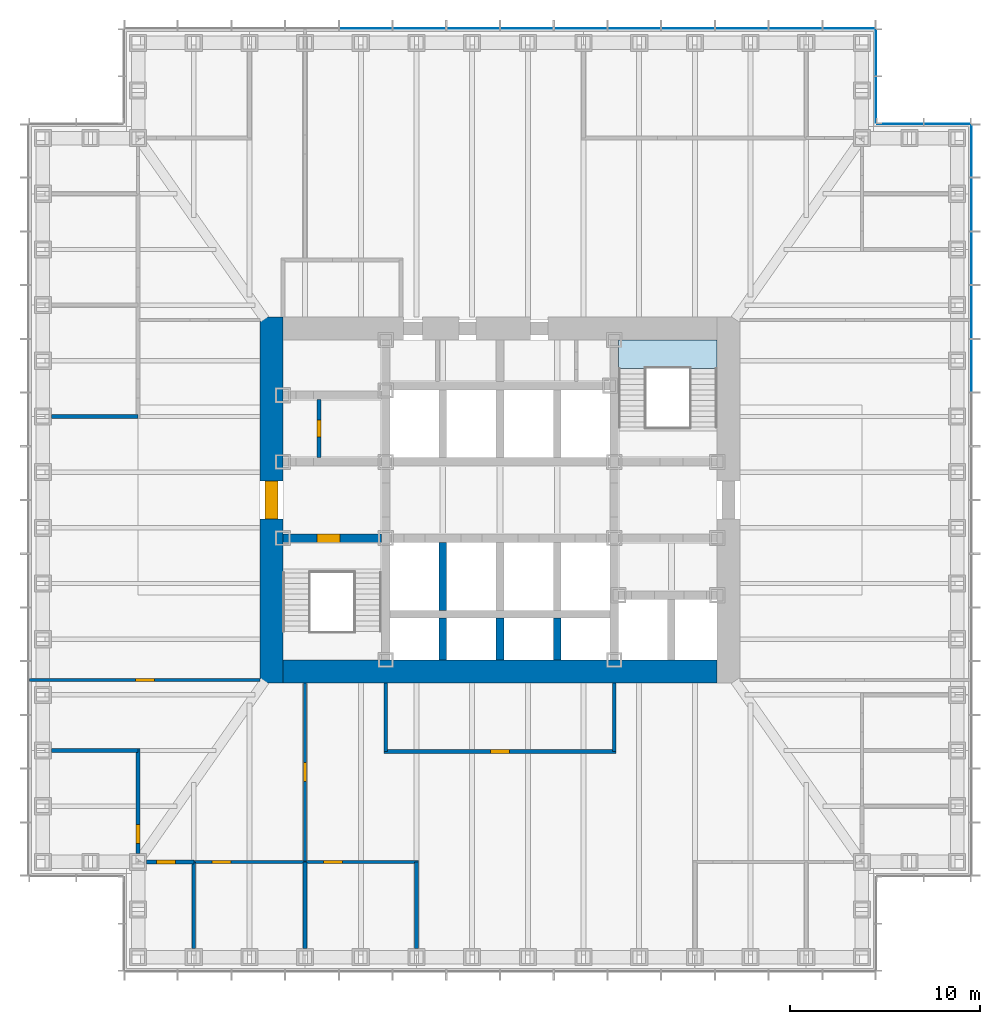
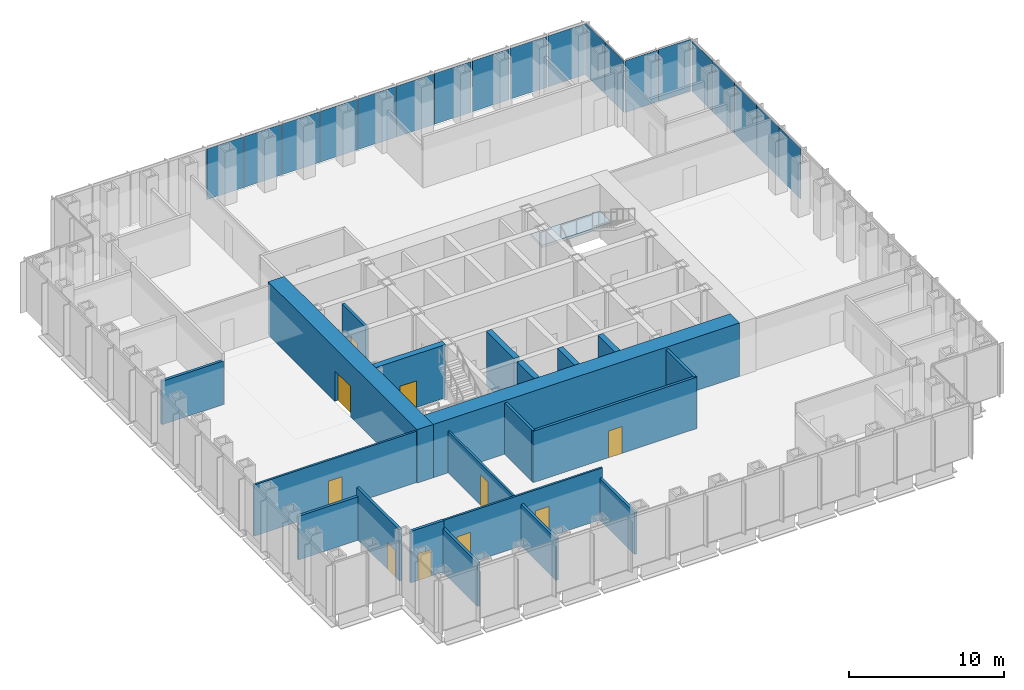
# One storey, part 8 of 17: 21 walls, 19 plates, 10 doors, 1 slab, 10 openings, 5 elements without a shape of their own.
"""IFC4 building model written with IfcOpenShell, lengths in metres."""

from ifc_helpers import new_model, si_unit, direction, frame, frame_2d, origin, origin_2d, place, context, subcontext, project, spatial, polyline, rectangle, outline, extrude, material, layer, layer_set, type_object, element, fill, aggregate, save


model = new_model("IFC4")

# Units and contexts
model_context = context("Model", 3, precision=1e-05, world=origin(), true_north=direction((0.0, 1.0)))
body_context = subcontext(model_context, "Body", "Model", "MODEL_VIEW")
ifc_project = project(units=[si_unit("LENGTHUNIT", "METRE"), si_unit("AREAUNIT", "SQUARE_METRE"), si_unit("VOLUMEUNIT", "CUBIC_METRE"), si_unit("PLANEANGLEUNIT", "RADIAN"), si_unit("MASSUNIT", "GRAM", prefix="KILO")], contexts=[model_context])

# Site, building, storey
site_placement = place(None, origin())
site = spatial("IfcSite", under=ifc_project, at=site_placement, CompositionType="ELEMENT")
building_placement = place(site_placement, origin())
building = spatial("IfcBuilding", under=site, at=building_placement, Name="Daluyong Arena Tower", CompositionType="ELEMENT")
storey_placement = place(building_placement, frame((0.0, 0.0, 89.5)))
storey = spatial("IfcBuildingStorey", under=building, at=storey_placement, Name="L19", CompositionType="ELEMENT", Elevation=89.5)

# Curtain wall, plates
ifc_material_1 = material(Name="Bronze anodised aluminium and glass", Category="aluminium")
curtain_wall_type_1 = type_object("IfcCurtainWallType", Name="Curtain wall CW1", PredefinedType="USERDEFINED", material=ifc_material_1)
curtain_wall_1_placement = place(storey_placement, origin())
curtain_wall_1 = element("IfcCurtainWall", 1, at=curtain_wall_1_placement, inside=storey, type_object=curtain_wall_type_1, Name="curtain wall L19 E", ObjectType="UNITISED CURTAIN WALL", PredefinedType="USERDEFINED")
ifc_material_2 = material(Name="Tinted double glazed unit", Category="glass")
ifc_layer_1 = layer(ifc_material_2, 0.031982421875)
ifc_layer_set_1 = layer_set([ifc_layer_1], Name="Tinted double glazed unit")
plate_type_1 = type_object("IfcPlateType", Name="CW1 panel 32", PredefinedType="CURTAIN_PANEL", material=ifc_layer_set_1)
plate_1_placement = place(storey_placement, frame((80.75, 87.053466796875, 0.0), z_axis=(0.0, 0.0, 1.0), x_axis=(0.0, 1.0, 0.0)))
plate_1 = element("IfcPlate", 2, at=plate_1_placement, type_object=plate_type_1, Name="curtain wall L19 E panel 10", PredefinedType="CURTAIN_PANEL", context=body_context, shape_type="SweptSolid", body=[
    extrude(rectangle(XDim=2.741455078125, YDim=0.031982421875, at=origin_2d()), origin(), (0.0, 0.0, 1.0), 4.0),
])
plate_2_placement = place(storey_placement, frame((80.75, 89.875, 0.0), z_axis=(0.0, 0.0, 1.0), x_axis=(0.0, 1.0, 0.0)))
plate_2 = element("IfcPlate", 3, at=plate_2_placement, type_object=plate_type_1, Name="curtain wall L19 E panel 11", PredefinedType="CURTAIN_PANEL", context=body_context, shape_type="SweptSolid", body=[
    extrude(rectangle(XDim=2.741455078125, YDim=0.031982421875, at=origin_2d()), origin(), (0.0, 0.0, 1.0), 4.0),
])
plate_3_placement = place(storey_placement, frame((80.75, 92.696533203125, 0.0), z_axis=(0.0, 0.0, 1.0), x_axis=(0.0, 1.0, 0.0)))
plate_3 = element("IfcPlate", 4, at=plate_3_placement, type_object=plate_type_1, Name="curtain wall L19 E panel 12", PredefinedType="CURTAIN_PANEL", context=body_context, shape_type="SweptSolid", body=[
    extrude(rectangle(XDim=2.741455078125, YDim=0.031982421875, at=origin_2d()), origin(), (0.0, 0.0, 1.0), 4.0),
])
plate_4_placement = place(storey_placement, frame((80.75, 95.517822265625, 0.0), z_axis=(0.0, 0.0, 1.0), x_axis=(0.0, 1.0, 0.0)))
plate_4 = element("IfcPlate", 5, at=plate_4_placement, type_object=plate_type_1, Name="curtain wall L19 E panel 13", PredefinedType="CURTAIN_PANEL", context=body_context, shape_type="SweptSolid", body=[
    extrude(rectangle(XDim=2.741455078125, YDim=0.031982421875, at=origin_2d()), origin(), (0.0, 0.0, 1.0), 4.0),
])
plate_5_placement = place(storey_placement, frame((80.75, 98.3193359375, 0.0), z_axis=(0.0, 0.0, 1.0), x_axis=(0.0, 1.0, 0.0)))
plate_5 = element("IfcPlate", 6, at=plate_5_placement, type_object=plate_type_1, Name="curtain wall L19 E panel 14", PredefinedType="CURTAIN_PANEL", context=body_context, shape_type="SweptSolid", body=[
    extrude(rectangle(XDim=2.701416015625, YDim=0.031982421875, at=origin_2d()), origin(), (0.0, 0.0, 1.0), 4.0),
])
aggregate(curtain_wall_1, [plate_1, plate_2, plate_3, plate_4, plate_5])

curtain_wall_2_placement = place(storey_placement, origin())
curtain_wall_2 = element("IfcCurtainWall", 7, at=curtain_wall_2_placement, inside=storey, type_object=curtain_wall_type_1, Name="curtain wall L19 N", ObjectType="UNITISED CURTAIN WALL", PredefinedType="USERDEFINED")
plate_6_placement = place(storey_placement, frame((74.3193359375, 104.75, 0.0), z_axis=(0.0, 0.0, 1.0), x_axis=(-1.0, 0.0, 0.0)))
plate_6 = element("IfcPlate", 8, at=plate_6_placement, type_object=plate_type_1, Name="curtain wall L19 N panel 1", PredefinedType="CURTAIN_PANEL", context=body_context, shape_type="SweptSolid", body=[
    extrude(rectangle(XDim=2.701416015625, YDim=0.031982421875, at=origin_2d()), origin(), (0.0, 0.0, 1.0), 4.0),
])
plate_7_placement = place(storey_placement, frame((71.517822265625, 104.75, 0.0), z_axis=(0.0, 0.0, 1.0), x_axis=(-1.0, 0.0, 0.0)))
plate_7 = element("IfcPlate", 9, at=plate_7_placement, type_object=plate_type_1, Name="curtain wall L19 N panel 2", PredefinedType="CURTAIN_PANEL", context=body_context, shape_type="SweptSolid", body=[
    extrude(rectangle(XDim=2.741455078125, YDim=0.031982421875, at=origin_2d()), origin(), (0.0, 0.0, 1.0), 4.0),
])
plate_8_placement = place(storey_placement, frame((68.696533203125, 104.75, 0.0), z_axis=(0.0, 0.0, 1.0), x_axis=(-1.0, 0.0, 0.0)))
plate_8 = element("IfcPlate", 10, at=plate_8_placement, type_object=plate_type_1, Name="curtain wall L19 N panel 3", PredefinedType="CURTAIN_PANEL", context=body_context, shape_type="SweptSolid", body=[
    extrude(rectangle(XDim=2.741455078125, YDim=0.031982421875, at=origin_2d()), origin(), (0.0, 0.0, 1.0), 4.0),
])
plate_9_placement = place(storey_placement, frame((65.875, 104.75, 0.0), z_axis=(0.0, 0.0, 1.0), x_axis=(-1.0, 0.0, 0.0)))
plate_9 = element("IfcPlate", 11, at=plate_9_placement, type_object=plate_type_1, Name="curtain wall L19 N panel 4", PredefinedType="CURTAIN_PANEL", context=body_context, shape_type="SweptSolid", body=[
    extrude(rectangle(XDim=2.741455078125, YDim=0.031982421875, at=origin_2d()), origin(), (0.0, 0.0, 1.0), 4.0),
])
plate_10_placement = place(storey_placement, frame((63.053466796875, 104.75, 0.0), z_axis=(0.0, 0.0, 1.0), x_axis=(-1.0, 0.0, 0.0)))
plate_10 = element("IfcPlate", 12, at=plate_10_placement, type_object=plate_type_1, Name="curtain wall L19 N panel 5", PredefinedType="CURTAIN_PANEL", context=body_context, shape_type="SweptSolid", body=[
    extrude(rectangle(XDim=2.741455078125, YDim=0.031982421875, at=origin_2d()), origin(), (0.0, 0.0, 1.0), 4.0),
])
plate_11_placement = place(storey_placement, frame((60.232177734375, 104.75, 0.0), z_axis=(0.0, 0.0, 1.0), x_axis=(-1.0, 0.0, 0.0)))
plate_11 = element("IfcPlate", 13, at=plate_11_placement, type_object=plate_type_1, Name="curtain wall L19 N panel 6", PredefinedType="CURTAIN_PANEL", context=body_context, shape_type="SweptSolid", body=[
    extrude(rectangle(XDim=2.741455078125, YDim=0.031982421875, at=origin_2d()), origin(), (0.0, 0.0, 1.0), 4.0),
])
plate_12_placement = place(storey_placement, frame((57.41064453125, 104.75, 0.0), z_axis=(0.0, 0.0, 1.0), x_axis=(-1.0, 0.0, 0.0)))
plate_12 = element("IfcPlate", 14, at=plate_12_placement, type_object=plate_type_1, Name="curtain wall L19 N panel 7", PredefinedType="CURTAIN_PANEL", context=body_context, shape_type="SweptSolid", body=[
    extrude(rectangle(XDim=2.741455078125, YDim=0.031982421875, at=origin_2d()), origin(), (0.0, 0.0, 1.0), 4.0),
])
plate_13_placement = place(storey_placement, frame((54.58935546875, 104.75, 0.0), z_axis=(0.0, 0.0, 1.0), x_axis=(-1.0, 0.0, 0.0)))
plate_13 = element("IfcPlate", 15, at=plate_13_placement, type_object=plate_type_1, Name="curtain wall L19 N panel 8", PredefinedType="CURTAIN_PANEL", context=body_context, shape_type="SweptSolid", body=[
    extrude(rectangle(XDim=2.741455078125, YDim=0.031982421875, at=origin_2d()), origin(), (0.0, 0.0, 1.0), 4.0),
])
plate_14_placement = place(storey_placement, frame((51.767822265625, 104.75, 0.0), z_axis=(0.0, 0.0, 1.0), x_axis=(-1.0, 0.0, 0.0)))
plate_14 = element("IfcPlate", 16, at=plate_14_placement, type_object=plate_type_1, Name="curtain wall L19 N panel 9", PredefinedType="CURTAIN_PANEL", context=body_context, shape_type="SweptSolid", body=[
    extrude(rectangle(XDim=2.741455078125, YDim=0.031982421875, at=origin_2d()), origin(), (0.0, 0.0, 1.0), 4.0),
])
plate_15_placement = place(storey_placement, frame((48.946533203125, 104.75, 0.0), z_axis=(0.0, 0.0, 1.0), x_axis=(-1.0, 0.0, 0.0)))
plate_15 = element("IfcPlate", 17, at=plate_15_placement, type_object=plate_type_1, Name="curtain wall L19 N panel 10", PredefinedType="CURTAIN_PANEL", context=body_context, shape_type="SweptSolid", body=[
    extrude(rectangle(XDim=2.741455078125, YDim=0.031982421875, at=origin_2d()), origin(), (0.0, 0.0, 1.0), 4.0),
])
aggregate(curtain_wall_2, [plate_6, plate_7, plate_8, plate_9, plate_10, plate_11, plate_12, plate_13, plate_14, plate_15])

ifc_material_3 = material(Name="Bronze anodised aluminium and glass", Category="aluminium")
curtain_wall_type_2 = type_object("IfcCurtainWallType", Name="Curtain wall CW7", PredefinedType="USERDEFINED", material=ifc_material_3)
curtain_wall_3_placement = place(storey_placement, origin())
curtain_wall_3 = element("IfcCurtainWall", 18, at=curtain_wall_3_placement, inside=storey, type_object=curtain_wall_type_2, Name="curtain wall L19 NE-N", ObjectType="UNITISED CURTAIN WALL", PredefinedType="USERDEFINED")
ifc_material_4 = material(Name="Tinted double glazed unit", Category="glass")
ifc_layer_2 = layer(ifc_material_4, 0.028076171875)
ifc_layer_set_2 = layer_set([ifc_layer_2], Name="Tinted double glazed unit")
plate_type_2 = type_object("IfcPlateType", Name="CW7 panel 28", PredefinedType="CURTAIN_PANEL", material=ifc_layer_set_2)
plate_16_placement = place(storey_placement, frame((79.485107421875, 99.75, 0.0), z_axis=(0.0, 0.0, 1.0), x_axis=(-1.0, 0.0, 0.0)))
plate_16 = element("IfcPlate", 19, at=plate_16_placement, type_object=plate_type_2, Name="curtain wall L19 NE-N panel 1", PredefinedType="CURTAIN_PANEL", context=body_context, shape_type="SweptSolid", body=[
    extrude(rectangle(XDim=2.409912109375, YDim=0.028076171875, at=origin_2d()), origin(), (0.0, 0.0, 1.0), 4.080078125),
])
plate_17_placement = place(storey_placement, frame((77.014892578125, 99.75, 0.0), z_axis=(0.0, 0.0, 1.0), x_axis=(-1.0, 0.0, 0.0)))
plate_17 = element("IfcPlate", 20, at=plate_17_placement, type_object=plate_type_2, Name="curtain wall L19 NE-N panel 2", PredefinedType="CURTAIN_PANEL", context=body_context, shape_type="SweptSolid", body=[
    extrude(rectangle(XDim=2.409912109375, YDim=0.028076171875, at=origin_2d()), origin(), (0.0, 0.0, 1.0), 4.080078125),
])
aggregate(curtain_wall_3, [plate_16, plate_17])

curtain_wall_4_placement = place(storey_placement, origin())
curtain_wall_4 = element("IfcCurtainWall", 21, at=curtain_wall_4_placement, inside=storey, type_object=curtain_wall_type_2, Name="curtain wall L19 NE-E", ObjectType="UNITISED CURTAIN WALL", PredefinedType="USERDEFINED")
plate_18_placement = place(storey_placement, frame((75.75, 101.014892578125, 0.0), z_axis=(0.0, 0.0, 1.0), x_axis=(0.0, 1.0, 0.0)))
plate_18 = element("IfcPlate", 22, at=plate_18_placement, type_object=plate_type_2, Name="curtain wall L19 NE-E panel 1", PredefinedType="CURTAIN_PANEL", context=body_context, shape_type="SweptSolid", body=[
    extrude(rectangle(XDim=2.409912109375, YDim=0.028076171875, at=origin_2d()), origin(), (0.0, 0.0, 1.0), 4.080078125),
])
plate_19_placement = place(storey_placement, frame((75.75, 103.485107421875, 0.0), z_axis=(0.0, 0.0, 1.0), x_axis=(0.0, 1.0, 0.0)))
plate_19 = element("IfcPlate", 23, at=plate_19_placement, type_object=plate_type_2, Name="curtain wall L19 NE-E panel 2", PredefinedType="CURTAIN_PANEL", context=body_context, shape_type="SweptSolid", body=[
    extrude(rectangle(XDim=2.409912109375, YDim=0.028076171875, at=origin_2d()), origin(), (0.0, 0.0, 1.0), 4.080078125),
])
aggregate(curtain_wall_4, [plate_18, plate_19])

# Stair, slab
ifc_material_5 = material(Name="Concrete fc' 35 MPa", Category="concrete")
stair_type = type_object("IfcStairType", Name="Core exit stair", PredefinedType="HALF_TURN_STAIR", material=ifc_material_5)
stair_placement = place(storey_placement, origin())
stair = element("IfcStair", 24, at=stair_placement, inside=storey, type_object=stair_type, Name="exit stair B L19", PredefinedType="HALF_TURN_STAIR")
ifc_material_6 = material(Name="Concrete fc' 35 MPa", Category="concrete")
ifc_layer_3 = layer(ifc_material_6, 0.199951171875)
ifc_layer_set_3 = layer_set([ifc_layer_3], Name="Concrete fc' 35 MPa")
slab_type = type_object("IfcSlabType", Name="Stair landing 200", PredefinedType="LANDING", material=ifc_layer_set_3)
slab_placement = place(storey_placement, frame((0.0, 0.0, 1.89990234375)))
slab = element("IfcSlab", 25, at=slab_placement, type_object=slab_type, Name="STB landing 1", PredefinedType="LANDING", context=body_context, shape_type="SweptSolid", body=[
    extrude(outline(polyline([(62.22509765625, 86.905029296875), (67.39990234375, 86.905029296875), (67.39990234375, 88.39990234375), (62.22509765625, 88.39990234375), (62.22509765625, 86.905029296875)])), origin(), (0.0, 0.0, 1.0), 0.2001953125),
])
aggregate(stair, [slab])

# Wall, opening, door
ifc_material_7 = material(Name="Concrete fc' 45 MPa", Category="concrete")
ifc_layer_4 = layer(ifc_material_7, 0.449951171875)
ifc_layer_set_4 = layer_set([ifc_layer_4], Name="Concrete fc' 45 MPa")
wall_type_1 = type_object("IfcWallType", Name="Core inner wall 450", PredefinedType="SHEAR", material=ifc_layer_set_4)
wall_1_placement = place(storey_placement, frame((44.60009765625, 78.0, 0.0), z_axis=(0.0, 0.0, 1.0), x_axis=(1.0, 0.0, 0.0)))
wall_1 = element("IfcWall", 26, at=wall_1_placement, inside=storey, type_object=wall_type_1, Name="core inner wall at L19", PredefinedType="SHEAR", context=body_context, shape_type="SweptSolid", body=[
    extrude(rectangle(XDim=5.1748046875, YDim=0.449951171875, at=frame_2d((2.58740234375, 0.0))), origin(), (0.0, 0.0, 1.0), 4.199951171875),
])
opening_1_placement = place(wall_1_placement, frame((1.800048828125, 0.0, 0.0)))
opening_1 = element("IfcOpeningElement", 27, at=opening_1_placement, cuts=wall_1, Name="Opening 19008", PredefinedType="OPENING", context=body_context, shape_type="SweptSolid", body=[
    extrude(rectangle(XDim=1.199951171875, YDim=2.10009765625, at=frame_2d((0.60009765625, 1.050048828125))), frame((0.0, 0.23486328125, 0.0), z_axis=(0.0, -1.0, 0.0), x_axis=(1.0, 0.0, 0.0)), (0.0, 0.0, 1.0), 0.469970703125),
])
ifc_material_8 = material(Name="Steel door, fire rated", Category="steel")
door_type_1 = type_object("IfcDoorType", Name="Stair door 1200", OperationType="SINGLE_SWING_LEFT", PredefinedType="DOOR", material=ifc_material_8)
door_1_placement = place(opening_1_placement, origin())
door_1 = element("IfcDoor", 28, at=door_1_placement, inside=storey, type_object=door_type_1, Name="stair A door 19008", OperationType="SINGLE_SWING_LEFT", OverallHeight=2.10009765625, OverallWidth=1.199951171875, PredefinedType="DOOR", context=body_context, shape_type="SweptSolid", body=[
    extrude(rectangle(XDim=1.199951171875, YDim=2.10009765625, at=frame_2d((0.60009765625, 1.050048828125))), frame((0.0, 0.224609375, 0.0), z_axis=(0.0, -1.0, 0.0), x_axis=(1.0, 0.0, 0.0)), (0.0, 0.0, 1.0), 0.449462890625),
])
fill(opening_1, door_1)

ifc_material_9 = material(Name="Concrete fc' 60 MPa", Category="concrete")
ifc_layer_5 = layer(ifc_material_9, 1.199951171875)
ifc_layer_set_5 = layer_set([ifc_layer_5], Name="Concrete fc' 60 MPa")
wall_type_2 = type_object("IfcWallType", Name="Core wall 1200", PredefinedType="SHEAR", material=ifc_layer_set_5)
wall_2_placement = place(storey_placement, frame((44.0, 70.39990234375, 0.0), z_axis=(0.0, 0.0, 1.0), x_axis=(0.0, 1.0, 0.0)))
wall_2 = element("IfcWall", 29, at=wall_2_placement, inside=storey, type_object=wall_type_2, Name="core wall at L19", PredefinedType="SHEAR", context=body_context, shape_type="SweptSolid", body=[
    extrude(rectangle(XDim=19.2001953125, YDim=1.199951171875, at=frame_2d((9.60009765625, 0.0))), origin(), (0.0, 0.0, 1.0), 4.199951171875),
])
opening_2_placement = place(wall_2_placement, frame((8.60009765625, 0.0, 0.0)))
opening_2 = element("IfcOpeningElement", 30, at=opening_2_placement, cuts=wall_2, Name="Opening 19010", PredefinedType="OPENING", context=body_context, shape_type="SweptSolid", body=[
    extrude(rectangle(XDim=2.0, YDim=2.39990234375, at=frame_2d((1.0, 1.199951171875))), frame((0.0, 0.60986328125, 0.0), z_axis=(0.0, -1.0, 0.0), x_axis=(1.0, 0.0, 0.0)), (0.0, 0.0, 1.0), 1.219970703125),
])
ifc_material_10 = material(Name="Steel door, fire rated", Category="steel")
door_type_2 = type_object("IfcDoorType", Name="Core lobby double door 2000", OperationType="DOUBLE_DOOR_SINGLE_SWING", PredefinedType="DOOR", material=ifc_material_10)
door_2_placement = place(opening_2_placement, origin())
door_2 = element("IfcDoor", 31, at=door_2_placement, inside=storey, type_object=door_type_2, Name="core lobby door west 19010", OperationType="DOUBLE_DOOR_SINGLE_SWING", OverallHeight=2.39990234375, OverallWidth=2.0, PredefinedType="DOOR", context=body_context, shape_type="SweptSolid", body=[
    extrude(rectangle(XDim=2.0, YDim=2.39990234375, at=frame_2d((1.0, 1.199951171875))), frame((0.0, 0.35009765625, 0.0), z_axis=(0.0, -1.0, 0.0), x_axis=(1.0, 0.0, 0.0)), (0.0, 0.0, 1.0), 0.699951171875),
])
fill(opening_2, door_2)

# Wall
wall_3_placement = place(storey_placement, frame((44.60009765625, 71.0, 0.0), z_axis=(0.0, 0.0, 1.0), x_axis=(1.0, 0.0, 0.0)))
element("IfcWall", 32, at=wall_3_placement, inside=storey, type_object=wall_type_2, Name="core wall at L19", PredefinedType="SHEAR", context=body_context, shape_type="SweptSolid", body=[
    extrude(rectangle(XDim=22.7998046875, YDim=1.199951171875, at=frame_2d((11.39990234375, 0.0))), origin(), (0.0, 0.0, 1.0), 4.199951171875),
])

# Wall, opening, door
ifc_material_11 = material(Name="Concrete block partition, fire rated", Category="concrete")
ifc_layer_6 = layer(ifc_material_11, 0.199951171875)
ifc_layer_set_6 = layer_set([ifc_layer_6], Name="Concrete block partition, fire rated")
wall_type_3 = type_object("IfcWallType", Name="Fire-rated partition 200", PredefinedType="PARTITIONING", material=ifc_layer_set_6)
wall_4_placement = place(storey_placement, frame((46.5, 82.22509765625, 0.0), z_axis=(0.0, 0.0, 1.0), x_axis=(0.0, 1.0, 0.0)))
wall_4 = element("IfcWall", 33, at=wall_4_placement, inside=storey, type_object=wall_type_3, Name="toilet lobby partition at L19", PredefinedType="PARTITIONING", context=body_context, shape_type="SweptSolid", body=[
    extrude(rectangle(XDim=3.0498046875, YDim=0.199951171875, at=frame_2d((1.52490234375, 0.0))), origin(), (0.0, 0.0, 1.0), 4.0400390625),
])
opening_3_placement = place(wall_4_placement, frame((1.074951171875, 0.0, 0.0)))
opening_3 = element("IfcOpeningElement", 34, at=opening_3_placement, cuts=wall_4, Name="Opening 19002", PredefinedType="OPENING", context=body_context, shape_type="SweptSolid", body=[
    extrude(rectangle(XDim=0.89990234375, YDim=2.10009765625, at=frame_2d((0.449951171875, 1.050048828125))), frame((0.0, 0.10986328125, 0.0), z_axis=(0.0, -1.0, 0.0), x_axis=(1.0, 0.0, 0.0)), (0.0, 0.0, 1.0), 0.219970703125),
])
ifc_material_12 = material(Name="Timber door", Category="wood")
door_type_3 = type_object("IfcDoorType", Name="Toilet door 900", OperationType="SINGLE_SWING_RIGHT", PredefinedType="DOOR", material=ifc_material_12)
door_3_placement = place(opening_3_placement, origin())
door_3 = element("IfcDoor", 35, at=door_3_placement, inside=storey, type_object=door_type_3, Name="male toilet door 19002", OperationType="SINGLE_SWING_RIGHT", OverallHeight=2.10009765625, OverallWidth=0.89990234375, PredefinedType="DOOR", context=body_context, shape_type="SweptSolid", body=[
    extrude(rectangle(XDim=0.89990234375, YDim=2.10009765625, at=frame_2d((0.449951171875, 1.050048828125))), frame((0.0, 0.099609375, 0.0), z_axis=(0.0, -1.0, 0.0), x_axis=(1.0, 0.0, 0.0)), (0.0, 0.0, 1.0), 0.199462890625),
])
fill(opening_3, door_3)

# Wall, openings, doors
ifc_material_13 = material(Name="Glazed aluminium partition", Category="aluminium")
ifc_layer_7 = layer(ifc_material_13, 0.14990234375)
ifc_layer_set_7 = layer_set([ifc_layer_7], Name="Glazed aluminium partition")
wall_type_4 = type_object("IfcWallType", Name="Glazed partition 150", PredefinedType="PARTITIONING", material=ifc_layer_set_7)
wall_5_placement = place(storey_placement, frame((39.923095703125, 61.0, 0.0), z_axis=(0.0, 0.0, 1.0), x_axis=(1.0, 0.0, 0.0)))
wall_5 = element("IfcWall", 36, at=wall_5_placement, inside=storey, type_object=wall_type_4, Name="glazed partition at L19", PredefinedType="PARTITIONING", context=body_context, shape_type="SweptSolid", body=[
    extrude(rectangle(XDim=11.792236328125, YDim=0.14990234375, at=frame_2d((5.89599609375, 0.0))), origin(), (0.0, 0.0, 1.0), 4.0400390625),
])
opening_4_placement = place(wall_5_placement, frame((0.96142578125, 0.0, 0.0)))
opening_4 = element("IfcOpeningElement", 37, at=opening_4_placement, cuts=wall_5, Name="Opening 19022", PredefinedType="OPENING", context=body_context, shape_type="SweptSolid", body=[
    extrude(rectangle(XDim=1.0, YDim=2.39990234375, at=frame_2d((0.5, 1.199951171875))), frame((0.0, 0.0849609375, 0.0), z_axis=(0.0, -1.0, 0.0), x_axis=(1.0, 0.0, 0.0)), (0.0, 0.0, 1.0), 0.169921875),
])
opening_5_placement = place(wall_5_placement, frame((6.8076171875, 0.0, 0.0)))
opening_5 = element("IfcOpeningElement", 38, at=opening_5_placement, cuts=wall_5, Name="Opening 19023", PredefinedType="OPENING", context=body_context, shape_type="SweptSolid", body=[
    extrude(rectangle(XDim=1.0, YDim=2.39990234375, at=frame_2d((0.5, 1.199951171875))), frame((0.0, 0.0849609375, 0.0), z_axis=(0.0, -1.0, 0.0), x_axis=(1.0, 0.0, 0.0)), (0.0, 0.0, 1.0), 0.169921875),
])
ifc_material_14 = material(Name="Glazed aluminium door", Category="aluminium")
door_type_4 = type_object("IfcDoorType", Name="Meeting room glazed door 1000", OperationType="SINGLE_SWING_RIGHT", PredefinedType="DOOR", material=ifc_material_14)
door_4_placement = place(opening_4_placement, origin())
door_4 = element("IfcDoor", 39, at=door_4_placement, inside=storey, type_object=door_type_4, Name="meeting room door 19022", OperationType="SINGLE_SWING_RIGHT", OverallHeight=2.39990234375, OverallWidth=1.0, PredefinedType="DOOR", context=body_context, shape_type="SweptSolid", body=[
    extrude(rectangle(XDim=1.0, YDim=2.39990234375, at=frame_2d((0.5, 1.199951171875))), frame((0.0, 0.07470703125, 0.0), z_axis=(0.0, -1.0, 0.0), x_axis=(1.0, 0.0, 0.0)), (0.0, 0.0, 1.0), 0.1494140625),
])
fill(opening_4, door_4)
door_5_placement = place(opening_5_placement, origin())
door_5 = element("IfcDoor", 40, at=door_5_placement, inside=storey, type_object=door_type_4, Name="meeting room door 19023", OperationType="SINGLE_SWING_RIGHT", OverallHeight=2.39990234375, OverallWidth=1.0, PredefinedType="DOOR", context=body_context, shape_type="SweptSolid", body=[
    extrude(rectangle(XDim=1.0, YDim=2.39990234375, at=frame_2d((0.5, 1.199951171875))), frame((0.0, 0.07470703125, 0.0), z_axis=(0.0, -1.0, 0.0), x_axis=(1.0, 0.0, 0.0)), (0.0, 0.0, 1.0), 0.1494140625),
])
fill(opening_5, door_5)

# Wall, opening, door
wall_6_placement = place(storey_placement, frame((31.31005859375, 70.550048828125, 0.0), z_axis=(0.0, 0.0, 1.0), x_axis=(1.0, 0.0, 0.0)))
wall_6 = element("IfcWall", 41, at=wall_6_placement, inside=storey, type_object=wall_type_4, Name="glazed partition at L19", PredefinedType="PARTITIONING", context=body_context, shape_type="SweptSolid", body=[
    extrude(rectangle(XDim=12.08984375, YDim=0.14990234375, at=frame_2d((6.044921875, 0.0))), origin(), (0.0, 0.0, 1.0), 4.0400390625),
])
opening_6_placement = place(wall_6_placement, frame((5.544921875, 0.0, 0.0)))
opening_6 = element("IfcOpeningElement", 42, at=opening_6_placement, cuts=wall_6, Name="Opening 19040", PredefinedType="OPENING", context=body_context, shape_type="SweptSolid", body=[
    extrude(rectangle(XDim=1.0, YDim=2.39990234375, at=frame_2d((0.5, 1.199951171875))), frame((0.0, 0.0849609375, 0.0), z_axis=(0.0, -1.0, 0.0), x_axis=(1.0, 0.0, 0.0)), (0.0, 0.0, 1.0), 0.169921875),
])
door_6_placement = place(opening_6_placement, origin())
door_6 = element("IfcDoor", 43, at=door_6_placement, inside=storey, type_object=door_type_4, Name="team area screen door 19040", OperationType="SINGLE_SWING_RIGHT", OverallHeight=2.39990234375, OverallWidth=1.0, PredefinedType="DOOR", context=body_context, shape_type="SweptSolid", body=[
    extrude(rectangle(XDim=1.0, YDim=2.39990234375, at=frame_2d((0.5, 1.199951171875))), frame((0.0, 0.07470703125, 0.0), z_axis=(0.0, -1.0, 0.0), x_axis=(1.0, 0.0, 0.0)), (0.0, 0.0, 1.0), 0.1494140625),
])
fill(opening_6, door_6)

wall_7_placement = place(storey_placement, frame((45.769287109375, 61.050048828125, 0.0), z_axis=(0.0, 0.0, 1.0), x_axis=(0.0, 1.0, 0.0)))
wall_7 = element("IfcWall", 44, at=wall_7_placement, inside=storey, type_object=wall_type_4, Name="glazed partition at L19", PredefinedType="PARTITIONING", context=body_context, shape_type="SweptSolid", body=[
    extrude(rectangle(XDim=9.349853515625, YDim=0.14990234375, at=frame_2d((4.6748046875, 0.0))), origin(), (0.0, 0.0, 1.0), 3.278076171875),
])
opening_7_placement = place(wall_7_placement, frame((4.175048828125, 0.0, 0.0)))
opening_7 = element("IfcOpeningElement", 45, at=opening_7_placement, cuts=wall_7, Name="Opening 19044", PredefinedType="OPENING", context=body_context, shape_type="SweptSolid", body=[
    extrude(rectangle(XDim=1.0, YDim=2.39990234375, at=frame_2d((0.5, 1.199951171875))), frame((0.0, 0.0849609375, 0.0), z_axis=(0.0, -1.0, 0.0), x_axis=(1.0, 0.0, 0.0)), (0.0, 0.0, 1.0), 0.169921875),
])
door_7_placement = place(opening_7_placement, origin())
door_7 = element("IfcDoor", 46, at=door_7_placement, inside=storey, type_object=door_type_4, Name="team area screen door 19044", OperationType="SINGLE_SWING_RIGHT", OverallHeight=2.39990234375, OverallWidth=1.0, PredefinedType="DOOR", context=body_context, shape_type="SweptSolid", body=[
    extrude(rectangle(XDim=1.0, YDim=2.39990234375, at=frame_2d((0.5, 1.199951171875))), frame((0.0, 0.07470703125, 0.0), z_axis=(0.0, -1.0, 0.0), x_axis=(1.0, 0.0, 0.0)), (0.0, 0.0, 1.0), 0.1494140625),
])
fill(opening_7, door_7)

# Walls
ifc_material_15 = material(Name="Concrete fc' 45 MPa", Category="concrete")
ifc_layer_8 = layer(ifc_material_15, 0.39990234375)
ifc_layer_set_8 = layer_set([ifc_layer_8], Name="Concrete fc' 45 MPa")
wall_type_5 = type_object("IfcWallType", Name="Lift shaft wall 400", PredefinedType="SHEAR", material=ifc_layer_set_8)
wall_8_placement = place(storey_placement, frame((53.0, 71.60009765625, 0.0), z_axis=(0.0, 0.0, 1.0), x_axis=(0.0, 1.0, 0.0)))
element("IfcWall", 47, at=wall_8_placement, inside=storey, type_object=wall_type_5, Name="lift shaft wall at L19", PredefinedType="SHEAR", context=body_context, shape_type="SweptSolid", body=[
    extrude(rectangle(XDim=2.199951171875, YDim=0.39990234375, at=frame_2d((1.10009765625, 0.0))), origin(), (0.0, 0.0, 1.0), 4.199951171875),
])
wall_9_placement = place(storey_placement, frame((53.0, 74.199951171875, 0.0), z_axis=(0.0, 0.0, 1.0), x_axis=(0.0, 1.0, 0.0)))
element("IfcWall", 48, at=wall_9_placement, inside=storey, type_object=wall_type_5, Name="lift shaft wall at L19", PredefinedType="SHEAR", context=body_context, shape_type="SweptSolid", body=[
    extrude(rectangle(XDim=3.574951171875, YDim=0.39990234375, at=frame_2d((1.78759765625, 0.0))), origin(), (0.0, 0.0, 1.0), 4.199951171875),
])
for number, where, z_axis, x_axis, name in (
    (49, (56.0, 71.60009765625, 0.0), (0.0, 0.0, 1.0), (0.0, 1.0, 0.0), "lift shaft wall at L19"),
    (50, (59.0, 71.60009765625, 0.0), (0.0, 0.0, 1.0), (0.0, 1.0, 0.0), "lift shaft wall at L19"),
):
    element("IfcWall", number, at=place(storey_placement, frame(where, z_axis=z_axis, x_axis=x_axis)), inside=storey, type_object=wall_type_5, Name=name, PredefinedType="SHEAR", context=body_context, shape_type="SweptSolid", body=[
        extrude(rectangle(XDim=2.199951171875, YDim=0.39990234375, at=frame_2d((1.10009765625, 0.0))), origin(), (0.0, 0.0, 1.0), 4.199951171875),
    ])
ifc_material_16 = material(Name="Concrete block partition", Category="concrete")
ifc_layer_9 = layer(ifc_material_16, 0.199951171875)
ifc_layer_set_9 = layer_set([ifc_layer_9], Name="Concrete block partition")
wall_type_6 = type_object("IfcWallType", Name="Partition 200", PredefinedType="PARTITIONING", material=ifc_layer_set_9)
wall_10_placement = place(storey_placement, frame((39.923095703125, 56.449951171875, 0.0), z_axis=(0.0, 0.0, 1.0), x_axis=(0.0, 1.0, 0.0)))
element("IfcWall", 51, at=wall_10_placement, inside=storey, type_object=wall_type_6, Name="partition at L19", PredefinedType="PARTITIONING", context=body_context, shape_type="SweptSolid", body=[
    extrude(rectangle(XDim=4.550048828125, YDim=0.199951171875, at=frame_2d((2.27490234375, 0.0))), origin(), (0.0, 0.0, 1.0), 3.427978515625),
])
for number, where, z_axis, x_axis, name in (
    (52, (45.769287109375, 56.449951171875, 0.0), (0.0, 0.0, 1.0), (0.0, 1.0, 0.0), "partition at L19"),
    (53, (51.615478515625, 56.449951171875, 0.0), (0.0, 0.0, 1.0), (0.0, 1.0, 0.0), "partition at L19"),
):
    element("IfcWall", number, at=place(storey_placement, frame(where, z_axis=z_axis, x_axis=x_axis)), inside=storey, type_object=wall_type_6, Name=name, PredefinedType="PARTITIONING", context=body_context, shape_type="SweptSolid", body=[
        extrude(rectangle(XDim=4.550048828125, YDim=0.199951171875, at=frame_2d((2.27490234375, 0.0))), origin(), (0.0, 0.0, 1.0), 3.278076171875),
    ])
for number, where, z_axis, x_axis, name in (
    (54, (32.449951171875, 66.84619140625, 0.0), (0.0, 0.0, 1.0), (1.0, 0.0, 0.0), "partition at L19"),
    (55, (32.449951171875, 84.384521484375, 0.0), (0.0, 0.0, 1.0), (1.0, 0.0, 0.0), "partition at L19"),
):
    element("IfcWall", number, at=place(storey_placement, frame(where, z_axis=z_axis, x_axis=x_axis)), inside=storey, type_object=wall_type_6, Name=name, PredefinedType="PARTITIONING", context=body_context, shape_type="SweptSolid", body=[
        extrude(rectangle(XDim=4.550048828125, YDim=0.199951171875, at=frame_2d((2.27490234375, 0.0))), origin(), (0.0, 0.0, 1.0), 3.427978515625),
    ])
for number, where, z_axis, x_axis, name in (
    (56, (50.0, 66.800048828125, 0.0), (0.0, 0.0, 1.0), (0.0, 1.0, 0.0), "partition at L19"),
    (57, (62.0, 66.800048828125, 0.0), (0.0, 0.0, 1.0), (0.0, 1.0, 0.0), "partition at L19"),
):
    element("IfcWall", number, at=place(storey_placement, frame(where, z_axis=z_axis, x_axis=x_axis)), inside=storey, type_object=wall_type_6, Name=name, PredefinedType="PARTITIONING", context=body_context, shape_type="SweptSolid", body=[
        extrude(rectangle(XDim=3.599853515625, YDim=0.199951171875, at=frame_2d((1.7998046875, 0.0))), origin(), (0.0, 0.0, 1.0), 4.0400390625),
    ])

# Wall, opening, door
wall_11_placement = place(storey_placement, frame((37.449951171875, 61.0, 0.0), z_axis=(0.0, 0.0, 1.0), x_axis=(1.0, 0.0, 0.0)))
wall_11 = element("IfcWall", 58, at=wall_11_placement, inside=storey, type_object=wall_type_6, Name="partition at L19", PredefinedType="PARTITIONING", context=body_context, shape_type="SweptSolid", body=[
    extrude(rectangle(XDim=2.47314453125, YDim=0.199951171875, at=frame_2d((1.236572265625, 0.0))), origin(), (0.0, 0.0, 1.0), 4.0400390625),
])
opening_8_placement = place(wall_11_placement, frame((0.511474609375, 0.0, 0.0)))
opening_8 = element("IfcOpeningElement", 59, at=opening_8_placement, cuts=wall_11, Name="Opening 19021", PredefinedType="OPENING", context=body_context, shape_type="SweptSolid", body=[
    extrude(rectangle(XDim=1.0, YDim=2.10009765625, at=frame_2d((0.5, 1.050048828125))), frame((0.0, 0.10986328125, 0.0), z_axis=(0.0, -1.0, 0.0), x_axis=(1.0, 0.0, 0.0)), (0.0, 0.0, 1.0), 0.219970703125),
])
ifc_material_17 = material(Name="Timber door", Category="wood")
door_type_5 = type_object("IfcDoorType", Name="Room door 1000", OperationType="SINGLE_SWING_LEFT", PredefinedType="DOOR", material=ifc_material_17)
door_8_placement = place(opening_8_placement, origin())
door_8 = element("IfcDoor", 60, at=door_8_placement, inside=storey, type_object=door_type_5, Name="quiet room door 19021", OperationType="SINGLE_SWING_LEFT", OverallHeight=2.10009765625, OverallWidth=1.0, PredefinedType="DOOR", context=body_context, shape_type="SweptSolid", body=[
    extrude(rectangle(XDim=1.0, YDim=2.10009765625, at=frame_2d((0.5, 1.050048828125))), frame((0.0, 0.099609375, 0.0), z_axis=(0.0, -1.0, 0.0), x_axis=(1.0, 0.0, 0.0)), (0.0, 0.0, 1.0), 0.199462890625),
])
fill(opening_8, door_8)

wall_12_placement = place(storey_placement, frame((49.89990234375, 66.800048828125, 0.0), z_axis=(0.0, 0.0, 1.0), x_axis=(1.0, 0.0, 0.0)))
wall_12 = element("IfcWall", 61, at=wall_12_placement, inside=storey, type_object=wall_type_6, Name="partition at L19", PredefinedType="PARTITIONING", context=body_context, shape_type="SweptSolid", body=[
    extrude(rectangle(XDim=12.2001953125, YDim=0.199951171875, at=frame_2d((6.10009765625, 0.0))), origin(), (0.0, 0.0, 1.0), 4.0400390625),
])
opening_9_placement = place(wall_12_placement, frame((5.60009765625, 0.0, 0.0)))
opening_9 = element("IfcOpeningElement", 62, at=opening_9_placement, cuts=wall_12, Name="Opening 19038", PredefinedType="OPENING", context=body_context, shape_type="SweptSolid", body=[
    extrude(rectangle(XDim=1.0, YDim=2.10009765625, at=frame_2d((0.5, 1.050048828125))), frame((0.0, 0.10986328125, 0.0), z_axis=(0.0, -1.0, 0.0), x_axis=(1.0, 0.0, 0.0)), (0.0, 0.0, 1.0), 0.219970703125),
])
door_9_placement = place(opening_9_placement, origin())
door_9 = element("IfcDoor", 63, at=door_9_placement, inside=storey, type_object=door_type_5, Name="pantry door 19038", OperationType="SINGLE_SWING_LEFT", OverallHeight=2.10009765625, OverallWidth=1.0, PredefinedType="DOOR", context=body_context, shape_type="SweptSolid", body=[
    extrude(rectangle(XDim=1.0, YDim=2.10009765625, at=frame_2d((0.5, 1.050048828125))), frame((0.0, 0.099609375, 0.0), z_axis=(0.0, -1.0, 0.0), x_axis=(1.0, 0.0, 0.0)), (0.0, 0.0, 1.0), 0.199462890625),
])
fill(opening_9, door_9)

wall_13_placement = place(storey_placement, frame((37.0, 61.449951171875, 0.0), z_axis=(0.0, 0.0, 1.0), x_axis=(0.0, 1.0, 0.0)))
wall_13 = element("IfcWall", 64, at=wall_13_placement, inside=storey, type_object=wall_type_6, Name="partition at L19", PredefinedType="PARTITIONING", context=body_context, shape_type="SweptSolid", body=[
    extrude(rectangle(XDim=5.49609375, YDim=0.199951171875, at=frame_2d((2.748046875, 0.0))), origin(), (0.0, 0.0, 1.0), 4.0400390625),
])
opening_10_placement = place(wall_13_placement, frame((0.511474609375, 0.0, 0.0)))
opening_10 = element("IfcOpeningElement", 65, at=opening_10_placement, cuts=wall_13, Name="Opening 19034", PredefinedType="OPENING", context=body_context, shape_type="SweptSolid", body=[
    extrude(rectangle(XDim=1.0, YDim=2.10009765625, at=frame_2d((0.5, 1.050048828125))), frame((0.0, 0.10986328125, 0.0), z_axis=(0.0, -1.0, 0.0), x_axis=(1.0, 0.0, 0.0)), (0.0, 0.0, 1.0), 0.219970703125),
])
door_10_placement = place(opening_10_placement, origin())
door_10 = element("IfcDoor", 66, at=door_10_placement, inside=storey, type_object=door_type_5, Name="project room door 19034", OperationType="SINGLE_SWING_LEFT", OverallHeight=2.10009765625, OverallWidth=1.0, PredefinedType="DOOR", context=body_context, shape_type="SweptSolid", body=[
    extrude(rectangle(XDim=1.0, YDim=2.10009765625, at=frame_2d((0.5, 1.050048828125))), frame((0.0, 0.099609375, 0.0), z_axis=(0.0, -1.0, 0.0), x_axis=(1.0, 0.0, 0.0)), (0.0, 0.0, 1.0), 0.199462890625),
])
fill(opening_10, door_10)

save(model, "model.ifc")
